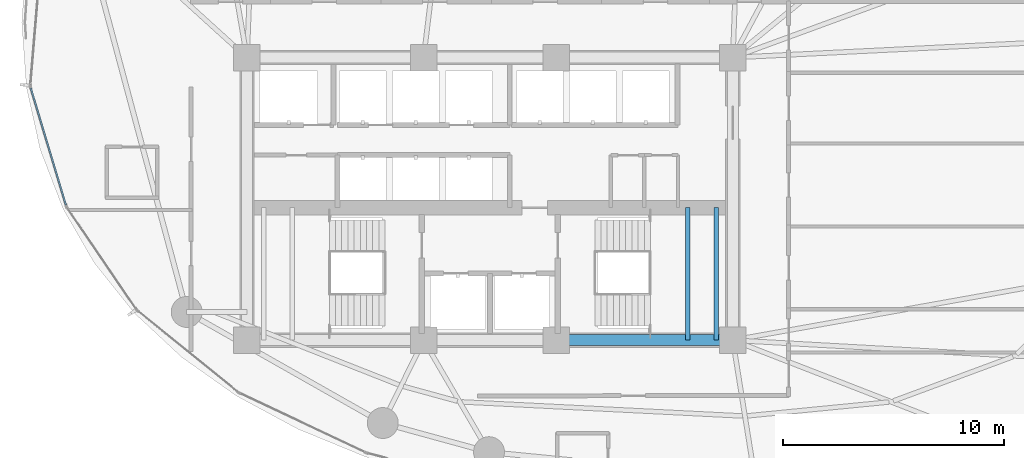
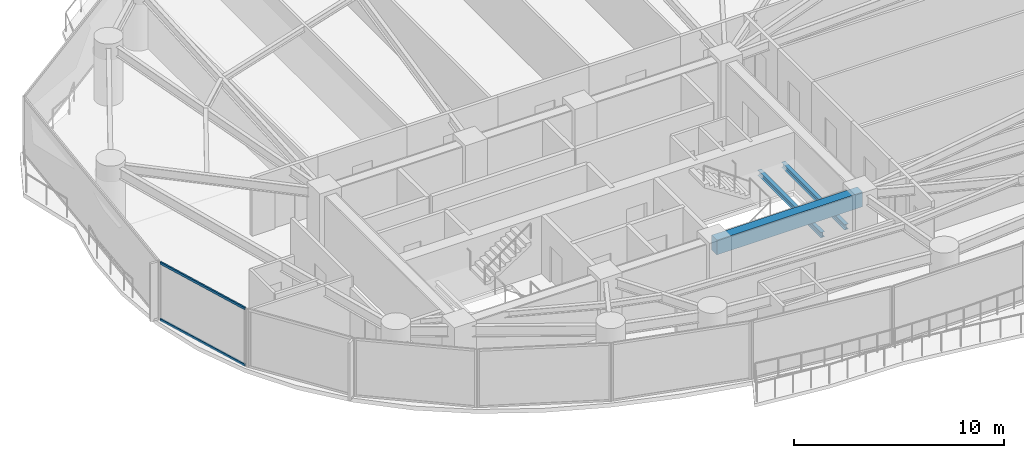
# One storey, part 7 of 30: 3 beams, 2 members, 1 element without a shape of its own.
"""IFC4 building model written with IfcOpenShell, lengths in metres."""

from ifc_helpers import new_model, si_unit, direction, frame, origin, origin_2d, place, context, subcontext, project, spatial, rectangle, hollow_rectangle, i_section, extrude, material, layer, layer_set, material_profile, profile_set, type_object, element, aggregate, save


model = new_model("IFC4")

# Units and contexts
model_context = context("Model", 3, precision=1e-05, world=origin(), true_north=direction((0.0, 1.0)))
body_context = subcontext(model_context, "Body", "Model", "MODEL_VIEW")
ifc_project = project(units=[si_unit("LENGTHUNIT", "METRE"), si_unit("AREAUNIT", "SQUARE_METRE"), si_unit("VOLUMEUNIT", "CUBIC_METRE"), si_unit("PLANEANGLEUNIT", "RADIAN"), si_unit("MASSUNIT", "GRAM", prefix="KILO")], contexts=[model_context])

# Site, building, storey
site_placement = place(None, origin())
site = spatial("IfcSite", under=ifc_project, at=site_placement, CompositionType="ELEMENT")
building_placement = place(site_placement, origin())
building = spatial("IfcBuilding", under=site, at=building_placement, Name="Kazevale Care Tower and Concert Hall", CompositionType="ELEMENT")
storey_placement = place(building_placement, frame((0.0, 0.0, 70.800048828125)))
storey = spatial("IfcBuildingStorey", under=building, at=storey_placement, Name="L18", CompositionType="ELEMENT", Elevation=70.800048828125)

# Curtain wall, members
ifc_material_1 = material(Name="Aluminium 6063-T6 and Low-E Glass", Category="aluminium")
ifc_layer = layer(ifc_material_1, 0.179931640625)
ifc_layer_set = layer_set([ifc_layer], Name="Aluminium 6063-T6 and Low-E Glass")
curtain_wall_type = type_object("IfcCurtainWallType", Name="Waist & Upper Residential Curtain Wall CW-4", PredefinedType="NOTDEFINED", material=ifc_layer_set)
curtain_wall_placement = place(storey_placement, origin())
curtain_wall = element("IfcCurtainWall", 1, at=curtain_wall_placement, inside=storey, type_object=curtain_wall_type, Name="cw:L18:f12", PredefinedType="NOTDEFINED")
ifc_material_2 = material(Name="Aluminium 6063-T6", Category="aluminium")
ifc_material_profile_1 = material_profile(ifc_material_2, hollow_rectangle(XDim=0.080078125, YDim=0.139892578125, WallThickness=0.00390625, at=origin_2d()), Name="ALU80x140x4")
ifc_profile_set_1 = profile_set([ifc_material_profile_1], Name="Aluminium 6063-T6")
member_type = type_object("IfcMemberType", Name="CW-4 Transom ALU80x140x4", PredefinedType="USERDEFINED", material=ifc_profile_set_1)
member_1_placement = place(storey_placement, frame((13.802978515625, 29.715576171875, 0.0400390625), z_axis=(-0.287906465712, 0.957658533613, 0.0), x_axis=(-0.957658533613, -0.287906465712, 0.0)))
member_1 = element("IfcMember", 2, at=member_1_placement, type_object=member_type, Name="CW-4 transom 1.1", ObjectType="TRANSOM", PredefinedType="USERDEFINED", context=body_context, shape_type="SweptSolid", body=[
    extrude(hollow_rectangle(XDim=0.080078125, YDim=0.139892578125, WallThickness=0.00390625, at=origin_2d()), origin(), (0.0, 0.0, 1.0), 5.533203125),
])
member_2_placement = place(storey_placement, frame((13.802978515625, 29.715576171875, 3.320068359375), z_axis=(-0.287906465712, 0.957658533613, 0.0), x_axis=(-0.957658533613, -0.287906465712, 0.0)))
member_2 = element("IfcMember", 3, at=member_2_placement, type_object=member_type, Name="CW-4 transom 1.2", ObjectType="TRANSOM", PredefinedType="USERDEFINED", context=body_context, shape_type="SweptSolid", body=[
    extrude(hollow_rectangle(XDim=0.080078125, YDim=0.139892578125, WallThickness=0.00390625, at=origin_2d()), origin(), (0.0, 0.0, 1.0), 5.533203125),
])
aggregate(curtain_wall, [member_1, member_2])

# Beams
ifc_material_3 = material(Name="Concrete C60", Category="concrete")
ifc_material_profile_2 = material_profile(ifc_material_3, rectangle(XDim=0.5, YDim=0.85009765625, at=origin_2d()), Name="RC-B500x850")
ifc_profile_set_2 = profile_set([ifc_material_profile_2], Name="Concrete C60")
beam_type_1 = type_object("IfcBeamType", Name="Core Coupling Beam RC500x850", PredefinedType="LINTEL", material=ifc_profile_set_2)
beam_placement = place(storey_placement, frame((36.0, 23.60009765625, 2.93505859375), z_axis=(1.0, 0.0, 0.0), x_axis=(0.0, 1.0, 0.0)))
element("IfcBeam", 4, at=beam_placement, inside=storey, type_object=beam_type_1, Name="beam:L18:coretie:3", PredefinedType="LINTEL", context=body_context, shape_type="SweptSolid", body=[
    extrude(rectangle(XDim=0.5, YDim=0.85009765625, at=origin_2d()), origin(), (0.0, 0.0, 1.0), 8.0),
])
ifc_material_4 = material(Name="Steel ASTM A572 Gr 50", Category="steel")
ifc_material_profile_3 = material_profile(ifc_material_4, i_section(OverallWidth=0.202880859375, OverallDepth=0.302978515625, WebThickness=0.007568359375, FlangeThickness=0.01318359375, at=origin_2d()), Name="W310x60")
ifc_profile_set_3 = profile_set([ifc_material_profile_3], Name="Steel ASTM A572 Gr 50")
beam_type_2 = type_object("IfcBeamType", Name="Stair & Balcony Trimmer W310x60", PredefinedType="BEAM", material=ifc_profile_set_3)
for number, where, z_axis, x_axis, name in (
    (5, (41.949951171875, 23.60009765625, 1.448486328125), (0.0, 1.0, 0.0), (-1.0, 0.0, 0.0), "beam:L18:sttrim:ST2"),
    (6, (43.25, 23.60009765625, 1.448486328125), (0.0, 1.0, 0.0), (-1.0, 0.0, 0.0), "beam:L18:sttrim:ST2b"),
):
    element("IfcBeam", number, at=place(storey_placement, frame(where, z_axis=z_axis, x_axis=x_axis)), inside=storey, type_object=beam_type_2, Name=name, PredefinedType="BEAM", context=body_context, shape_type="SweptSolid", body=[
        extrude(i_section(OverallWidth=0.202880859375, OverallDepth=0.302978515625, WebThickness=0.007568359375, FlangeThickness=0.01318359375, at=origin_2d()), origin(), (0.0, 0.0, 1.0), 6.0),
    ])

save(model, "model.ifc")
